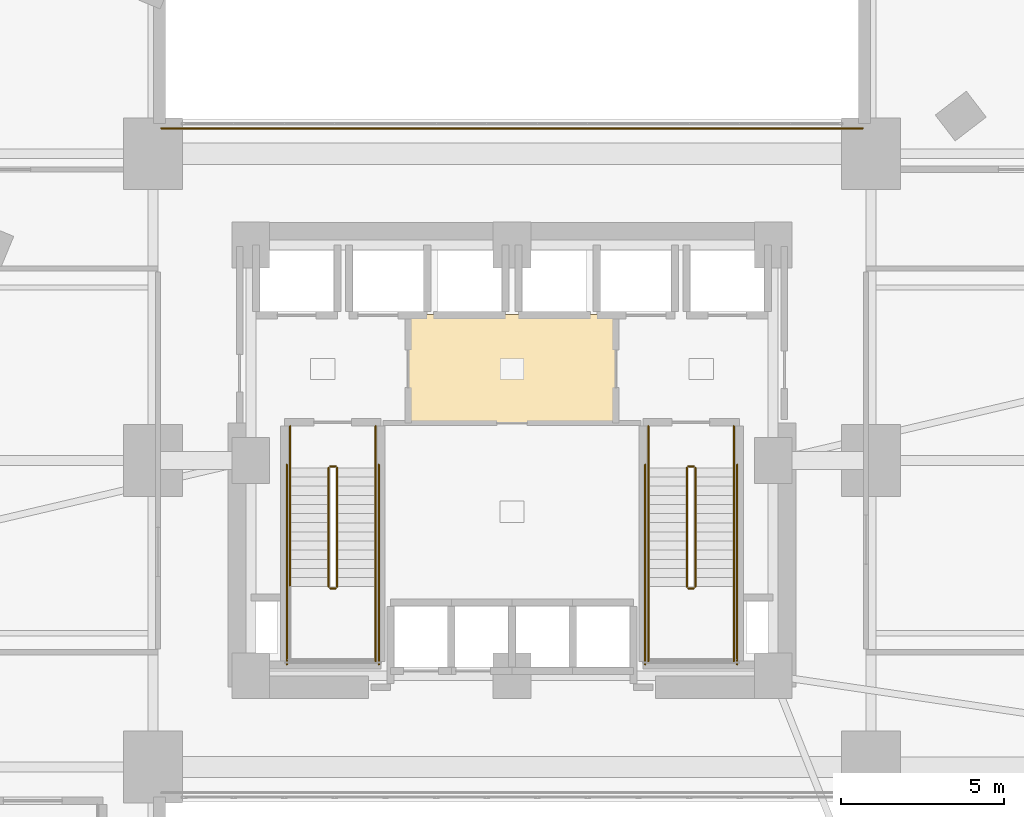
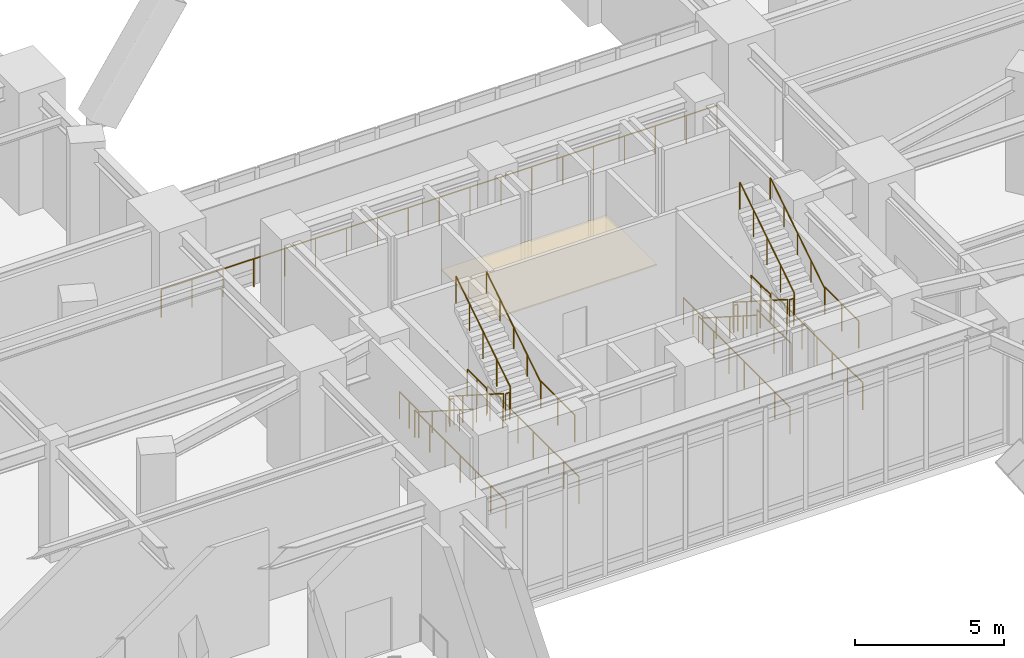
# One storey, part 25 of 26: 24 railings, 1 covering.
"""IFC4 building model written with IfcOpenShell, lengths in metres."""

from ifc_helpers import new_model, si_unit, direction, frame, origin, origin_2d, place, context, subcontext, project, spatial, rectangle, circle, extrude, material, layer, layer_set, type_object, element, save


model = new_model("IFC4")

# Units and contexts
model_context = context("Model", 3, precision=1e-05, world=origin(), true_north=direction((0.0, 1.0)))
body_context = subcontext(model_context, "Body", "Model", "MODEL_VIEW")
ifc_project = project(units=[si_unit("LENGTHUNIT", "METRE"), si_unit("AREAUNIT", "SQUARE_METRE"), si_unit("VOLUMEUNIT", "CUBIC_METRE"), si_unit("PLANEANGLEUNIT", "RADIAN"), si_unit("MASSUNIT", "GRAM", prefix="KILO")], contexts=[model_context])

# Site, building, storey
site_placement = place(None, origin())
site = spatial("IfcSite", under=ifc_project, at=site_placement, CompositionType="ELEMENT")
building_placement = place(site_placement, origin())
building = spatial("IfcBuilding", under=site, at=building_placement, Name="Ndelora Gate Hotel", CompositionType="ELEMENT")
storey_placement = place(building_placement, frame((0.0, 0.0, 6.0)))
storey = spatial("IfcBuildingStorey", under=building, at=storey_placement, Name="L01", CompositionType="ELEMENT", Elevation=6.0)

# Covering
ifc_material_1 = material(Name="Perforated Acoustic Gypsum Board", Category="gypsum")
ifc_layer_1 = layer(ifc_material_1, 0.054931640625)
ifc_layer_set_1 = layer_set([ifc_layer_1], Name="Perforated Acoustic Gypsum Board")
covering_type = type_object("IfcCoveringType", Name="COV-CEIL-AC60", PredefinedType="CEILING", material=ifc_layer_set_1)
covering_placement = place(storey_placement, frame((0.0, 2.800048828125, 2.72265625), z_axis=(0.0, 0.0, 1.0), x_axis=(1.0, 0.0, 0.0)))
element("IfcCovering", 1, at=covering_placement, inside=storey, type_object=covering_type, Name="L01 Lift Lobby Acoustic Ceiling", PredefinedType="CEILING", context=body_context, shape_type="SweptSolid", body=[
    extrude(rectangle(XDim=6.39990234375, YDim=3.340087890625, at=origin_2d()), origin(), (0.0, 0.0, 1.0), 0.054931640625),
])

# Railings
ifc_material_2 = material(Name="Laminated Safety Glass and Bronze Top Rail", Category="glass")
ifc_layer_2 = layer(ifc_material_2, 0.070068359375)
ifc_layer_set_2 = layer_set([ifc_layer_2], Name="Laminated Safety Glass and Bronze Top Rail")
railing_type_1 = type_object("IfcRailingType", Name="RL-BAL-1150", PredefinedType="BALUSTRADE", material=ifc_layer_set_2)
railing_1_placement = place(storey_placement, frame((-10.75, 10.179931640625, 0.0)))
element("IfcRailing", 2, at=railing_1_placement, inside=storey, type_object=railing_type_1, Name="L01 Portal Arch Atrium Edge Guard N-BRIDGE", PredefinedType="BALUSTRADE", context=body_context, shape_type="SweptSolid", body=[
    extrude(circle(Radius=0.02392578125, at=origin_2d()), frame((0.0, 0.0, 1.1357421875), z_axis=(1.0, 0.0, 0.0), x_axis=(0.0, 1.0, 0.0)), (0.0, 0.0, 1.0), 21.5),
    extrude(circle(Radius=0.02099609375, at=origin_2d()), origin(), (0.0, 0.0, 1.0), 1.11181640625),
    extrude(circle(Radius=0.02099609375, at=origin_2d()), frame((1.1943359375, 0.0, 0.0)), (0.0, 0.0, 1.0), 1.11181640625),
    extrude(circle(Radius=0.02099609375, at=origin_2d()), frame((2.388916015625, 0.0, 0.0)), (0.0, 0.0, 1.0), 1.11181640625),
    extrude(circle(Radius=0.02099609375, at=origin_2d()), frame((3.583251953125, 0.0, 0.0)), (0.0, 0.0, 1.0), 1.11181640625),
    extrude(circle(Radius=0.02099609375, at=origin_2d()), frame((4.77783203125, 0.0, 0.0)), (0.0, 0.0, 1.0), 1.11181640625),
    extrude(circle(Radius=0.02099609375, at=origin_2d()), frame((5.97216796875, 0.0, 0.0)), (0.0, 0.0, 1.0), 1.11181640625),
    extrude(circle(Radius=0.02099609375, at=origin_2d()), frame((7.166748046875, 0.0, 0.0)), (0.0, 0.0, 1.0), 1.11181640625),
    extrude(circle(Radius=0.02099609375, at=origin_2d()), frame((8.361083984375, 0.0, 0.0)), (0.0, 0.0, 1.0), 1.11181640625),
    extrude(circle(Radius=0.02099609375, at=origin_2d()), frame((9.5556640625, 0.0, 0.0)), (0.0, 0.0, 1.0), 1.11181640625),
    extrude(circle(Radius=0.02099609375, at=origin_2d()), frame((10.75, 0.0, 0.0)), (0.0, 0.0, 1.0), 1.11181640625),
    extrude(circle(Radius=0.02099609375, at=origin_2d()), frame((11.9443359375, 0.0, 0.0)), (0.0, 0.0, 1.0), 1.11181640625),
    extrude(circle(Radius=0.02099609375, at=origin_2d()), frame((13.138916015625, 0.0, 0.0)), (0.0, 0.0, 1.0), 1.11181640625),
    extrude(circle(Radius=0.02099609375, at=origin_2d()), frame((14.333251953125, 0.0, 0.0)), (0.0, 0.0, 1.0), 1.11181640625),
    extrude(circle(Radius=0.02099609375, at=origin_2d()), frame((15.52783203125, 0.0, 0.0)), (0.0, 0.0, 1.0), 1.11181640625),
    extrude(circle(Radius=0.02099609375, at=origin_2d()), frame((16.72216796875, 0.0, 0.0)), (0.0, 0.0, 1.0), 1.11181640625),
    extrude(circle(Radius=0.02099609375, at=origin_2d()), frame((17.916748046875, 0.0, 0.0)), (0.0, 0.0, 1.0), 1.11181640625),
    extrude(circle(Radius=0.02099609375, at=origin_2d()), frame((19.111083984375, 0.0, 0.0)), (0.0, 0.0, 1.0), 1.11181640625),
    extrude(circle(Radius=0.02099609375, at=origin_2d()), frame((20.3056640625, 0.0, 0.0)), (0.0, 0.0, 1.0), 1.11181640625),
    extrude(circle(Radius=0.02099609375, at=origin_2d()), frame((21.5, 0.0, 0.0)), (0.0, 0.0, 1.0), 1.11181640625),
])
ifc_material_3 = material(Name="Painted Galvanized Steel Balustrade", Category="steel")
ifc_layer_3 = layer(ifc_material_3, 0.06005859375)
ifc_layer_set_3 = layer_set([ifc_layer_3], Name="Painted Galvanized Steel Balustrade")
railing_type_2 = type_object("IfcRailingType", Name="RL-STAIR-GD", PredefinedType="GUARDRAIL", material=ifc_layer_set_3)
railing_2_placement = place(storey_placement, frame((-5.6201171875, -0.22998046875, 0.178466796875)))
element("IfcRailing", 3, at=railing_2_placement, inside=storey, type_object=railing_type_2, Name="L01 ST4 stair guard 1", PredefinedType="GUARDRAIL", context=body_context, shape_type="SweptSolid", body=[
    extrude(circle(Radius=0.02392578125, at=origin_2d()), frame((0.0, 0.0, 1.10595703125), z_axis=(0.0, -0.843127859045, 0.537713132908), x_axis=(1.0, 0.0, 0.0)), (0.0, 0.0, 1.0), 4.3173828125),
    extrude(circle(Radius=0.02099609375, at=origin_2d()), origin(), (0.0, 0.0, 1.0), 1.081787109375),
    extrude(circle(Radius=0.02099609375, at=origin_2d()), frame((0.0, -0.91015625, 0.580322265625)), (0.0, 0.0, 1.0), 1.081787109375),
    extrude(circle(Radius=0.02099609375, at=origin_2d()), frame((0.0, -1.820068359375, 1.16064453125)), (0.0, 0.0, 1.0), 1.081787109375),
    extrude(circle(Radius=0.02099609375, at=origin_2d()), frame((0.0, -2.72998046875, 1.7412109375)), (0.0, 0.0, 1.0), 1.081787109375),
    extrude(circle(Radius=0.02099609375, at=origin_2d()), frame((0.0, -3.64013671875, 2.321533203125)), (0.0, 0.0, 1.0), 1.081787109375),
])
railing_3_placement = place(storey_placement, frame((-5.570068359375, -3.919921875, 2.5)))
element("IfcRailing", 4, at=railing_3_placement, inside=storey, type_object=railing_type_2, Name="L01 ST4 stair guard 2", PredefinedType="GUARDRAIL", context=body_context, shape_type="SweptSolid", body=[
    extrude(circle(Radius=0.02392578125, at=origin_2d()), frame((0.0, 0.0, 1.10595703125), z_axis=(1.0, 0.0, 0.0), x_axis=(0.0, 1.0, 0.0)), (0.0, 0.0, 1.0), 0.16015625),
    extrude(circle(Radius=0.02099609375, at=origin_2d()), origin(), (0.0, 0.0, 1.0), 1.081787109375),
    extrude(circle(Radius=0.02099609375, at=origin_2d()), frame((0.16015625, 0.0, 0.0)), (0.0, 0.0, 1.0), 1.081787109375),
])
railing_4_placement = place(storey_placement, frame((-4.179931640625, -3.8701171875, 2.5)))
element("IfcRailing", 5, at=railing_4_placement, inside=storey, type_object=railing_type_2, Name="L01 ST4 stair guard 4", PredefinedType="GUARDRAIL", context=body_context, shape_type="SweptSolid", body=[
    extrude(circle(Radius=0.02392578125, at=origin_2d()), frame((0.0, 0.0, 1.10595703125), z_axis=(0.0, -1.0, 0.0), x_axis=(1.0, 0.0, 0.0)), (0.0, 0.0, 1.0), 2.27978515625),
    extrude(circle(Radius=0.02099609375, at=origin_2d()), origin(), (0.0, 0.0, 1.0), 1.081787109375),
    extrude(circle(Radius=0.02099609375, at=origin_2d()), frame((0.0, -1.139892578125, 0.0)), (0.0, 0.0, 1.0), 1.081787109375),
    extrude(circle(Radius=0.02099609375, at=origin_2d()), frame((0.0, -2.27978515625, 0.0)), (0.0, 0.0, 1.0), 1.081787109375),
])
railing_5_placement = place(storey_placement, frame((-5.360107421875, -3.8701171875, 2.678466796875)))
element("IfcRailing", 6, at=railing_5_placement, inside=storey, type_object=railing_type_2, Name="L01 ST4 stair guard 6", PredefinedType="GUARDRAIL", context=body_context, shape_type="SweptSolid", body=[
    extrude(circle(Radius=0.02392578125, at=origin_2d()), frame((0.0, 0.0, 1.10595703125), z_axis=(0.0, 0.843127859045, 0.537713132908), x_axis=(-1.0, 0.0, 0.0)), (0.0, 0.0, 1.0), 4.3173828125),
    extrude(circle(Radius=0.02099609375, at=origin_2d()), origin(), (0.0, 0.0, 1.0), 1.081787109375),
    extrude(circle(Radius=0.02099609375, at=origin_2d()), frame((0.0, 0.91015625, 0.580322265625)), (0.0, 0.0, 1.0), 1.081787109375),
    extrude(circle(Radius=0.02099609375, at=origin_2d()), frame((0.0, 1.820068359375, 1.16064453125)), (0.0, 0.0, 1.0), 1.081787109375),
    extrude(circle(Radius=0.02099609375, at=origin_2d()), frame((0.0, 2.72998046875, 1.7412109375)), (0.0, 0.0, 1.0), 1.081787109375),
    extrude(circle(Radius=0.02099609375, at=origin_2d()), frame((0.0, 3.64013671875, 2.321533203125)), (0.0, 0.0, 1.0), 1.081787109375),
])
railing_6_placement = place(storey_placement, frame((-5.570068359375, -0.179931640625, 0.0)))
element("IfcRailing", 7, at=railing_6_placement, inside=storey, type_object=railing_type_2, Name="L01 ST4 stair guard 7", PredefinedType="GUARDRAIL", context=body_context, shape_type="SweptSolid", body=[
    extrude(circle(Radius=0.02392578125, at=origin_2d()), frame((0.0, 0.0, 1.10595703125), z_axis=(1.0, 0.0, 0.0), x_axis=(0.0, 1.0, 0.0)), (0.0, 0.0, 1.0), 0.16015625),
    extrude(circle(Radius=0.02099609375, at=origin_2d()), origin(), (0.0, 0.0, 1.0), 1.081787109375),
    extrude(circle(Radius=0.02099609375, at=origin_2d()), frame((0.16015625, 0.0, 0.0)), (0.0, 0.0, 1.0), 1.081787109375),
])
for number, where, name in (
    (8, (-6.800048828125, 1.050048828125, 0.0), "L01 ST4 stair guard 8"),
    (9, (-4.179931640625, 1.050048828125, 0.0), "L01 ST4 stair guard 9"),
):
    element("IfcRailing", number, at=place(storey_placement, frame(where)), inside=storey, type_object=railing_type_2, Name=name, PredefinedType="GUARDRAIL", context=body_context, shape_type="SweptSolid", body=[
        extrude(circle(Radius=0.02392578125, at=origin_2d()), frame((0.0, 0.0, 1.10595703125), z_axis=(0.0, -1.0, 0.0), x_axis=(1.0, 0.0, 0.0)), (0.0, 0.0, 1.0), 1.280029296875),
        extrude(circle(Radius=0.02099609375, at=origin_2d()), origin(), (0.0, 0.0, 1.0), 1.081787109375),
        extrude(circle(Radius=0.02099609375, at=origin_2d()), frame((0.0, -0.64013671875, 0.0)), (0.0, 0.0, 1.0), 1.081787109375),
        extrude(circle(Radius=0.02099609375, at=origin_2d()), frame((0.0, -1.280029296875, 0.0)), (0.0, 0.0, 1.0), 1.081787109375),
    ])
for number, where, name in (
    (10, (-6.89990234375, -0.1298828125, 0.0), "L01 ST4 stair guard 10"),
    (11, (-4.080078125, -0.1298828125, 0.0), "L01 ST4 stair guard 11"),
):
    element("IfcRailing", number, at=place(storey_placement, frame(where)), inside=storey, type_object=railing_type_2, Name=name, PredefinedType="GUARDRAIL", context=body_context, shape_type="SweptSolid", body=[
        extrude(circle(Radius=0.02392578125, at=origin_2d()), frame((0.0, 0.0, 1.10595703125), z_axis=(0.0, -1.0, 0.0), x_axis=(1.0, 0.0, 0.0)), (0.0, 0.0, 1.0), 6.1201171875),
        extrude(circle(Radius=0.02099609375, at=origin_2d()), origin(), (0.0, 0.0, 1.0), 1.081787109375),
        extrude(circle(Radius=0.02099609375, at=origin_2d()), frame((0.0, -1.02001953125, 0.0)), (0.0, 0.0, 1.0), 1.081787109375),
        extrude(circle(Radius=0.02099609375, at=origin_2d()), frame((0.0, -2.0400390625, 0.0)), (0.0, 0.0, 1.0), 1.081787109375),
        extrude(circle(Radius=0.02099609375, at=origin_2d()), frame((0.0, -3.06005859375, 0.0)), (0.0, 0.0, 1.0), 1.081787109375),
        extrude(circle(Radius=0.02099609375, at=origin_2d()), frame((0.0, -4.080078125, 0.0)), (0.0, 0.0, 1.0), 1.081787109375),
        extrude(circle(Radius=0.02099609375, at=origin_2d()), frame((0.0, -5.10009765625, 0.0)), (0.0, 0.0, 1.0), 1.081787109375),
        extrude(circle(Radius=0.02099609375, at=origin_2d()), frame((0.0, -6.1201171875, 0.0)), (0.0, 0.0, 1.0), 1.081787109375),
    ])
railing_7_placement = place(storey_placement, frame((5.360107421875, -0.22998046875, 0.178466796875)))
element("IfcRailing", 12, at=railing_7_placement, inside=storey, type_object=railing_type_2, Name="L01 ST5 stair guard 1", PredefinedType="GUARDRAIL", context=body_context, shape_type="SweptSolid", body=[
    extrude(circle(Radius=0.02392578125, at=origin_2d()), frame((0.0, 0.0, 1.10595703125), z_axis=(0.0, -0.843127859045, 0.537713132908), x_axis=(1.0, 0.0, 0.0)), (0.0, 0.0, 1.0), 4.3173828125),
    extrude(circle(Radius=0.02099609375, at=origin_2d()), origin(), (0.0, 0.0, 1.0), 1.081787109375),
    extrude(circle(Radius=0.02099609375, at=origin_2d()), frame((0.0, -0.91015625, 0.580322265625)), (0.0, 0.0, 1.0), 1.081787109375),
    extrude(circle(Radius=0.02099609375, at=origin_2d()), frame((0.0, -1.820068359375, 1.16064453125)), (0.0, 0.0, 1.0), 1.081787109375),
    extrude(circle(Radius=0.02099609375, at=origin_2d()), frame((0.0, -2.72998046875, 1.7412109375)), (0.0, 0.0, 1.0), 1.081787109375),
    extrude(circle(Radius=0.02099609375, at=origin_2d()), frame((0.0, -3.64013671875, 2.321533203125)), (0.0, 0.0, 1.0), 1.081787109375),
])
railing_8_placement = place(storey_placement, frame((5.409912109375, -3.919921875, 2.5)))
element("IfcRailing", 13, at=railing_8_placement, inside=storey, type_object=railing_type_2, Name="L01 ST5 stair guard 2", PredefinedType="GUARDRAIL", context=body_context, shape_type="SweptSolid", body=[
    extrude(circle(Radius=0.02392578125, at=origin_2d()), frame((0.0, 0.0, 1.10595703125), z_axis=(1.0, 0.0, 0.0), x_axis=(0.0, 1.0, 0.0)), (0.0, 0.0, 1.0), 0.16015625),
    extrude(circle(Radius=0.02099609375, at=origin_2d()), origin(), (0.0, 0.0, 1.0), 1.081787109375),
    extrude(circle(Radius=0.02099609375, at=origin_2d()), frame((0.16015625, 0.0, 0.0)), (0.0, 0.0, 1.0), 1.081787109375),
])
for number, where, name in (
    (14, (4.179931640625, -3.8701171875, 2.5), "L01 ST5 stair guard 3"),
    (15, (6.800048828125, -3.8701171875, 2.5), "L01 ST5 stair guard 4"),
):
    element("IfcRailing", number, at=place(storey_placement, frame(where)), inside=storey, type_object=railing_type_2, Name=name, PredefinedType="GUARDRAIL", context=body_context, shape_type="SweptSolid", body=[
        extrude(circle(Radius=0.02392578125, at=origin_2d()), frame((0.0, 0.0, 1.10595703125), z_axis=(0.0, -1.0, 0.0), x_axis=(1.0, 0.0, 0.0)), (0.0, 0.0, 1.0), 2.27978515625),
        extrude(circle(Radius=0.02099609375, at=origin_2d()), origin(), (0.0, 0.0, 1.0), 1.081787109375),
        extrude(circle(Radius=0.02099609375, at=origin_2d()), frame((0.0, -1.139892578125, 0.0)), (0.0, 0.0, 1.0), 1.081787109375),
        extrude(circle(Radius=0.02099609375, at=origin_2d()), frame((0.0, -2.27978515625, 0.0)), (0.0, 0.0, 1.0), 1.081787109375),
    ])
railing_9_placement = place(storey_placement, frame((5.6201171875, -3.8701171875, 2.678466796875)))
element("IfcRailing", 16, at=railing_9_placement, inside=storey, type_object=railing_type_2, Name="L01 ST5 stair guard 6", PredefinedType="GUARDRAIL", context=body_context, shape_type="SweptSolid", body=[
    extrude(circle(Radius=0.02392578125, at=origin_2d()), frame((0.0, 0.0, 1.10595703125), z_axis=(0.0, 0.843127859045, 0.537713132908), x_axis=(-1.0, 0.0, 0.0)), (0.0, 0.0, 1.0), 4.3173828125),
    extrude(circle(Radius=0.02099609375, at=origin_2d()), origin(), (0.0, 0.0, 1.0), 1.081787109375),
    extrude(circle(Radius=0.02099609375, at=origin_2d()), frame((0.0, 0.91015625, 0.580322265625)), (0.0, 0.0, 1.0), 1.081787109375),
    extrude(circle(Radius=0.02099609375, at=origin_2d()), frame((0.0, 1.820068359375, 1.16064453125)), (0.0, 0.0, 1.0), 1.081787109375),
    extrude(circle(Radius=0.02099609375, at=origin_2d()), frame((0.0, 2.72998046875, 1.7412109375)), (0.0, 0.0, 1.0), 1.081787109375),
    extrude(circle(Radius=0.02099609375, at=origin_2d()), frame((0.0, 3.64013671875, 2.321533203125)), (0.0, 0.0, 1.0), 1.081787109375),
])
railing_10_placement = place(storey_placement, frame((5.409912109375, -0.179931640625, 0.0)))
element("IfcRailing", 17, at=railing_10_placement, inside=storey, type_object=railing_type_2, Name="L01 ST5 stair guard 7", PredefinedType="GUARDRAIL", context=body_context, shape_type="SweptSolid", body=[
    extrude(circle(Radius=0.02392578125, at=origin_2d()), frame((0.0, 0.0, 1.10595703125), z_axis=(1.0, 0.0, 0.0), x_axis=(0.0, 1.0, 0.0)), (0.0, 0.0, 1.0), 0.16015625),
    extrude(circle(Radius=0.02099609375, at=origin_2d()), origin(), (0.0, 0.0, 1.0), 1.081787109375),
    extrude(circle(Radius=0.02099609375, at=origin_2d()), frame((0.16015625, 0.0, 0.0)), (0.0, 0.0, 1.0), 1.081787109375),
])
for number, where, name in (
    (18, (4.179931640625, 1.050048828125, 0.0), "L01 ST5 stair guard 8"),
    (19, (6.800048828125, 1.050048828125, 0.0), "L01 ST5 stair guard 9"),
):
    element("IfcRailing", number, at=place(storey_placement, frame(where)), inside=storey, type_object=railing_type_2, Name=name, PredefinedType="GUARDRAIL", context=body_context, shape_type="SweptSolid", body=[
        extrude(circle(Radius=0.02392578125, at=origin_2d()), frame((0.0, 0.0, 1.10595703125), z_axis=(0.0, -1.0, 0.0), x_axis=(1.0, 0.0, 0.0)), (0.0, 0.0, 1.0), 1.280029296875),
        extrude(circle(Radius=0.02099609375, at=origin_2d()), origin(), (0.0, 0.0, 1.0), 1.081787109375),
        extrude(circle(Radius=0.02099609375, at=origin_2d()), frame((0.0, -0.64013671875, 0.0)), (0.0, 0.0, 1.0), 1.081787109375),
        extrude(circle(Radius=0.02099609375, at=origin_2d()), frame((0.0, -1.280029296875, 0.0)), (0.0, 0.0, 1.0), 1.081787109375),
    ])
for number, where, name in (
    (20, (4.080078125, -0.1298828125, 0.0), "L01 ST5 stair guard 10"),
    (21, (6.89990234375, -0.1298828125, 0.0), "L01 ST5 stair guard 11"),
):
    element("IfcRailing", number, at=place(storey_placement, frame(where)), inside=storey, type_object=railing_type_2, Name=name, PredefinedType="GUARDRAIL", context=body_context, shape_type="SweptSolid", body=[
        extrude(circle(Radius=0.02392578125, at=origin_2d()), frame((0.0, 0.0, 1.10595703125), z_axis=(0.0, -1.0, 0.0), x_axis=(1.0, 0.0, 0.0)), (0.0, 0.0, 1.0), 6.1201171875),
        extrude(circle(Radius=0.02099609375, at=origin_2d()), origin(), (0.0, 0.0, 1.0), 1.081787109375),
        extrude(circle(Radius=0.02099609375, at=origin_2d()), frame((0.0, -1.02001953125, 0.0)), (0.0, 0.0, 1.0), 1.081787109375),
        extrude(circle(Radius=0.02099609375, at=origin_2d()), frame((0.0, -2.0400390625, 0.0)), (0.0, 0.0, 1.0), 1.081787109375),
        extrude(circle(Radius=0.02099609375, at=origin_2d()), frame((0.0, -3.06005859375, 0.0)), (0.0, 0.0, 1.0), 1.081787109375),
        extrude(circle(Radius=0.02099609375, at=origin_2d()), frame((0.0, -4.080078125, 0.0)), (0.0, 0.0, 1.0), 1.081787109375),
        extrude(circle(Radius=0.02099609375, at=origin_2d()), frame((0.0, -5.10009765625, 0.0)), (0.0, 0.0, 1.0), 1.081787109375),
        extrude(circle(Radius=0.02099609375, at=origin_2d()), frame((0.0, -6.1201171875, 0.0)), (0.0, 0.0, 1.0), 1.081787109375),
    ])
ifc_material_4 = material(Name="Brushed Stainless Steel 316", Category="steel")
ifc_layer_4 = layer(ifc_material_4, 0.050048828125)
ifc_layer_set_4 = layer_set([ifc_layer_4], Name="Brushed Stainless Steel 316")
railing_type_3 = type_object("IfcRailingType", Name="RL-STAIR-HR", PredefinedType="HANDRAIL", material=ifc_layer_set_4)
railing_11_placement = place(storey_placement, frame((-6.800048828125, -0.22998046875, 0.178466796875)))
element("IfcRailing", 22, at=railing_11_placement, inside=storey, type_object=railing_type_3, Name="L01 ST4 stair handrail 1", PredefinedType="HANDRAIL", context=body_context, shape_type="SweptSolid", body=[
    extrude(circle(Radius=0.02392578125, at=origin_2d()), frame((0.0, 0.0, 0.8759765625), z_axis=(0.0, -0.843127859045, 0.537713132908), x_axis=(1.0, 0.0, 0.0)), (0.0, 0.0, 1.0), 4.3173828125),
    extrude(circle(Radius=0.02099609375, at=origin_2d()), origin(), (0.0, 0.0, 1.0), 0.851806640625),
    extrude(circle(Radius=0.02099609375, at=origin_2d()), frame((0.0, -0.91015625, 0.580322265625)), (0.0, 0.0, 1.0), 0.851806640625),
    extrude(circle(Radius=0.02099609375, at=origin_2d()), frame((0.0, -1.820068359375, 1.16064453125)), (0.0, 0.0, 1.0), 0.851806640625),
    extrude(circle(Radius=0.02099609375, at=origin_2d()), frame((0.0, -2.72998046875, 1.7412109375)), (0.0, 0.0, 1.0), 0.851806640625),
    extrude(circle(Radius=0.02099609375, at=origin_2d()), frame((0.0, -3.64013671875, 2.321533203125)), (0.0, 0.0, 1.0), 0.851806640625),
])
railing_12_placement = place(storey_placement, frame((-4.179931640625, -3.8701171875, 2.678466796875)))
element("IfcRailing", 23, at=railing_12_placement, inside=storey, type_object=railing_type_3, Name="L01 ST4 stair handrail 2", PredefinedType="HANDRAIL", context=body_context, shape_type="SweptSolid", body=[
    extrude(circle(Radius=0.02392578125, at=origin_2d()), frame((0.0, 0.0, 0.8759765625), z_axis=(0.0, 0.843127859045, 0.537713132908), x_axis=(-1.0, 0.0, 0.0)), (0.0, 0.0, 1.0), 4.3173828125),
    extrude(circle(Radius=0.02099609375, at=origin_2d()), origin(), (0.0, 0.0, 1.0), 0.851806640625),
    extrude(circle(Radius=0.02099609375, at=origin_2d()), frame((0.0, 0.91015625, 0.580322265625)), (0.0, 0.0, 1.0), 0.851806640625),
    extrude(circle(Radius=0.02099609375, at=origin_2d()), frame((0.0, 1.820068359375, 1.16064453125)), (0.0, 0.0, 1.0), 0.851806640625),
    extrude(circle(Radius=0.02099609375, at=origin_2d()), frame((0.0, 2.72998046875, 1.7412109375)), (0.0, 0.0, 1.0), 0.851806640625),
    extrude(circle(Radius=0.02099609375, at=origin_2d()), frame((0.0, 3.64013671875, 2.321533203125)), (0.0, 0.0, 1.0), 0.851806640625),
])
railing_13_placement = place(storey_placement, frame((4.179931640625, -0.22998046875, 0.178466796875)))
element("IfcRailing", 24, at=railing_13_placement, inside=storey, type_object=railing_type_3, Name="L01 ST5 stair handrail 1", PredefinedType="HANDRAIL", context=body_context, shape_type="SweptSolid", body=[
    extrude(circle(Radius=0.02392578125, at=origin_2d()), frame((0.0, 0.0, 0.8759765625), z_axis=(0.0, -0.843127859045, 0.537713132908), x_axis=(1.0, 0.0, 0.0)), (0.0, 0.0, 1.0), 4.3173828125),
    extrude(circle(Radius=0.02099609375, at=origin_2d()), origin(), (0.0, 0.0, 1.0), 0.851806640625),
    extrude(circle(Radius=0.02099609375, at=origin_2d()), frame((0.0, -0.91015625, 0.580322265625)), (0.0, 0.0, 1.0), 0.851806640625),
    extrude(circle(Radius=0.02099609375, at=origin_2d()), frame((0.0, -1.820068359375, 1.16064453125)), (0.0, 0.0, 1.0), 0.851806640625),
    extrude(circle(Radius=0.02099609375, at=origin_2d()), frame((0.0, -2.72998046875, 1.7412109375)), (0.0, 0.0, 1.0), 0.851806640625),
    extrude(circle(Radius=0.02099609375, at=origin_2d()), frame((0.0, -3.64013671875, 2.321533203125)), (0.0, 0.0, 1.0), 0.851806640625),
])
railing_14_placement = place(storey_placement, frame((6.800048828125, -3.8701171875, 2.678466796875)))
element("IfcRailing", 25, at=railing_14_placement, inside=storey, type_object=railing_type_3, Name="L01 ST5 stair handrail 2", PredefinedType="HANDRAIL", context=body_context, shape_type="SweptSolid", body=[
    extrude(circle(Radius=0.02392578125, at=origin_2d()), frame((0.0, 0.0, 0.8759765625), z_axis=(0.0, 0.843127859045, 0.537713132908), x_axis=(-1.0, 0.0, 0.0)), (0.0, 0.0, 1.0), 4.3173828125),
    extrude(circle(Radius=0.02099609375, at=origin_2d()), origin(), (0.0, 0.0, 1.0), 0.851806640625),
    extrude(circle(Radius=0.02099609375, at=origin_2d()), frame((0.0, 0.91015625, 0.580322265625)), (0.0, 0.0, 1.0), 0.851806640625),
    extrude(circle(Radius=0.02099609375, at=origin_2d()), frame((0.0, 1.820068359375, 1.16064453125)), (0.0, 0.0, 1.0), 0.851806640625),
    extrude(circle(Radius=0.02099609375, at=origin_2d()), frame((0.0, 2.72998046875, 1.7412109375)), (0.0, 0.0, 1.0), 0.851806640625),
    extrude(circle(Radius=0.02099609375, at=origin_2d()), frame((0.0, 3.64013671875, 2.321533203125)), (0.0, 0.0, 1.0), 0.851806640625),
])

save(model, "model.ifc")
